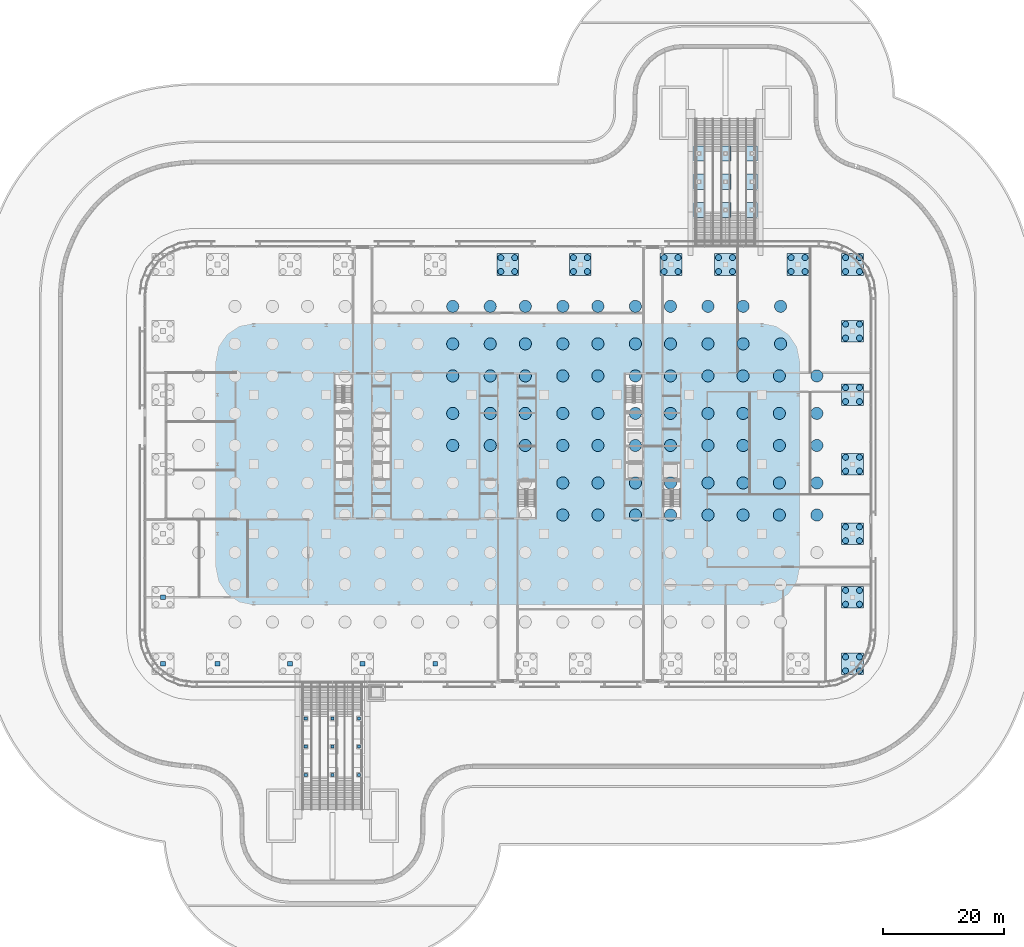
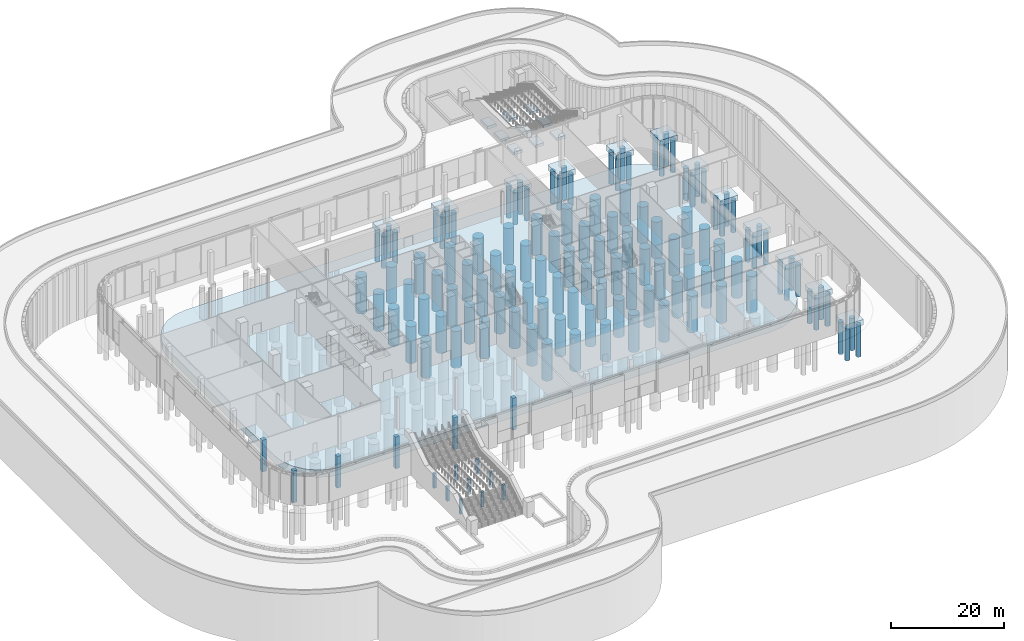
# One storey, part 2 of 48: 117 piles, 22 footings, 15 columns.
"""IFC4 building model written with IfcOpenShell, lengths in metres."""

from ifc_helpers import new_model, si_unit, direction, frame, origin, origin_2d, place, context, subcontext, project, spatial, polyline, rectangle, circle, outline, extrude, material, layer, layer_set, material_profile, profile_set, type_object, element, save


model = new_model("IFC4")

# Units and contexts
model_context = context("Model", 3, precision=1e-05, world=origin(), true_north=direction((0.0, 1.0)))
body_context = subcontext(model_context, "Body", "Model", "MODEL_VIEW")
ifc_project = project(units=[si_unit("LENGTHUNIT", "METRE"), si_unit("AREAUNIT", "SQUARE_METRE"), si_unit("VOLUMEUNIT", "CUBIC_METRE"), si_unit("PLANEANGLEUNIT", "RADIAN"), si_unit("MASSUNIT", "GRAM", prefix="KILO")], contexts=[model_context])

# Site, building, storey
site_placement = place(None, origin())
site = spatial("IfcSite", under=ifc_project, at=site_placement, CompositionType="ELEMENT")
building_placement = place(site_placement, origin())
building = spatial("IfcBuilding", under=site, at=building_placement, Name="Mahtab Terrace Research Tower", CompositionType="ELEMENT")
storey_placement = place(building_placement, origin())
storey = spatial("IfcBuildingStorey", under=building, at=storey_placement, Name="G", CompositionType="ELEMENT", Elevation=0.0)

# Piles
ifc_material_1 = material(Name="Concrete C40/50", Category="concrete")
ifc_material_profile_1 = material_profile(ifc_material_1, circle(Radius=0.5, at=origin_2d()), Name="Bored pile D1000")
ifc_profile_set_1 = profile_set([ifc_material_profile_1], Name="Concrete C40/50")
pile_type_1 = type_object("IfcPileType", Name="Bored pile D1000", PredefinedType="BORED", material=ifc_profile_set_1)
for number, where, z_axis, x_axis, name in (
    (1, (55.85009765625, -34.14990234375, -1.25), (0.0, 0.0, -1.0), (1.0, 0.0, 0.0), "Bored pile PC-11-1"),
    (2, (55.85009765625, -31.85009765625, -1.25), (0.0, 0.0, -1.0), (1.0, 0.0, 0.0), "Bored pile PC-11-2"),
    (3, (58.14990234375, -34.14990234375, -1.25), (0.0, 0.0, -1.0), (1.0, 0.0, 0.0), "Bored pile PC-11-3"),
    (4, (58.14990234375, -31.85009765625, -1.25), (0.0, 0.0, -1.0), (1.0, 0.0, 0.0), "Bored pile PC-11-4"),
    (5, (-1.14990234375, 31.85009765625, -1.25), (0.0, 0.0, -1.0), (1.0, 0.0, 0.0), "Bored pile PC-17-1"),
    (6, (-1.14990234375, 34.14990234375, -1.25), (0.0, 0.0, -1.0), (1.0, 0.0, 0.0), "Bored pile PC-17-2"),
    (7, (1.14990234375, 31.85009765625, -1.25), (0.0, 0.0, -1.0), (1.0, 0.0, 0.0), "Bored pile PC-17-3"),
    (8, (1.14990234375, 34.14990234375, -1.25), (0.0, 0.0, -1.0), (1.0, 0.0, 0.0), "Bored pile PC-17-4"),
    (9, (10.85009765625, 31.85009765625, -1.25), (0.0, 0.0, -1.0), (1.0, 0.0, 0.0), "Bored pile PC-18-1"),
    (10, (10.85009765625, 34.14990234375, -1.25), (0.0, 0.0, -1.0), (1.0, 0.0, 0.0), "Bored pile PC-18-2"),
    (11, (13.14990234375, 31.85009765625, -1.25), (0.0, 0.0, -1.0), (1.0, 0.0, 0.0), "Bored pile PC-18-3"),
    (12, (13.14990234375, 34.14990234375, -1.25), (0.0, 0.0, -1.0), (1.0, 0.0, 0.0), "Bored pile PC-18-4"),
    (13, (25.85009765625, 31.85009765625, -1.25), (0.0, 0.0, -1.0), (1.0, 0.0, 0.0), "Bored pile PC-19-1"),
    (14, (25.85009765625, 34.14990234375, -1.25), (0.0, 0.0, -1.0), (1.0, 0.0, 0.0), "Bored pile PC-19-2"),
    (15, (28.14990234375, 31.85009765625, -1.25), (0.0, 0.0, -1.0), (1.0, 0.0, 0.0), "Bored pile PC-19-3"),
    (16, (28.14990234375, 34.14990234375, -1.25), (0.0, 0.0, -1.0), (1.0, 0.0, 0.0), "Bored pile PC-19-4"),
    (17, (34.85009765625, 31.85009765625, -1.25), (0.0, 0.0, -1.0), (1.0, 0.0, 0.0), "Bored pile PC-20-1"),
    (18, (34.85009765625, 34.14990234375, -1.25), (0.0, 0.0, -1.0), (1.0, 0.0, 0.0), "Bored pile PC-20-2"),
    (19, (37.14990234375, 31.85009765625, -1.25), (0.0, 0.0, -1.0), (1.0, 0.0, 0.0), "Bored pile PC-20-3"),
    (20, (37.14990234375, 34.14990234375, -1.25), (0.0, 0.0, -1.0), (1.0, 0.0, 0.0), "Bored pile PC-20-4"),
    (21, (46.85009765625, 31.85009765625, -1.25), (0.0, 0.0, -1.0), (1.0, 0.0, 0.0), "Bored pile PC-21-1"),
    (22, (46.85009765625, 34.14990234375, -1.25), (0.0, 0.0, -1.0), (1.0, 0.0, 0.0), "Bored pile PC-21-2"),
    (23, (49.14990234375, 31.85009765625, -1.25), (0.0, 0.0, -1.0), (1.0, 0.0, 0.0), "Bored pile PC-21-3"),
    (24, (49.14990234375, 34.14990234375, -1.25), (0.0, 0.0, -1.0), (1.0, 0.0, 0.0), "Bored pile PC-21-4"),
    (25, (55.85009765625, 31.85009765625, -1.25), (0.0, 0.0, -1.0), (1.0, 0.0, 0.0), "Bored pile PC-22-1"),
    (26, (55.85009765625, 34.14990234375, -1.25), (0.0, 0.0, -1.0), (1.0, 0.0, 0.0), "Bored pile PC-22-2"),
    (27, (58.14990234375, 31.85009765625, -1.25), (0.0, 0.0, -1.0), (1.0, 0.0, 0.0), "Bored pile PC-22-3"),
    (28, (58.14990234375, 34.14990234375, -1.25), (0.0, 0.0, -1.0), (1.0, 0.0, 0.0), "Bored pile PC-22-4"),
    (29, (55.85009765625, -23.14990234375, -1.25), (0.0, 0.0, -1.0), (1.0, 0.0, 0.0), "Bored pile PC-28-1"),
    (30, (55.85009765625, -20.85009765625, -1.25), (0.0, 0.0, -1.0), (1.0, 0.0, 0.0), "Bored pile PC-28-2"),
    (31, (58.14990234375, -23.14990234375, -1.25), (0.0, 0.0, -1.0), (1.0, 0.0, 0.0), "Bored pile PC-28-3"),
    (32, (58.14990234375, -20.85009765625, -1.25), (0.0, 0.0, -1.0), (1.0, 0.0, 0.0), "Bored pile PC-28-4"),
    (33, (55.85009765625, -12.64990234375, -1.25), (0.0, 0.0, -1.0), (1.0, 0.0, 0.0), "Bored pile PC-29-1"),
    (34, (55.85009765625, -10.35009765625, -1.25), (0.0, 0.0, -1.0), (1.0, 0.0, 0.0), "Bored pile PC-29-2"),
    (35, (58.14990234375, -12.64990234375, -1.25), (0.0, 0.0, -1.0), (1.0, 0.0, 0.0), "Bored pile PC-29-3"),
    (36, (58.14990234375, -10.35009765625, -1.25), (0.0, 0.0, -1.0), (1.0, 0.0, 0.0), "Bored pile PC-29-4"),
    (37, (55.85009765625, -1.14990234375, -1.25), (0.0, 0.0, -1.0), (1.0, 0.0, 0.0), "Bored pile PC-30-1"),
    (38, (55.85009765625, 1.14990234375, -1.25), (0.0, 0.0, -1.0), (1.0, 0.0, 0.0), "Bored pile PC-30-2"),
    (39, (58.14990234375, -1.14990234375, -1.25), (0.0, 0.0, -1.0), (1.0, 0.0, 0.0), "Bored pile PC-30-3"),
    (40, (58.14990234375, 1.14990234375, -1.25), (0.0, 0.0, -1.0), (1.0, 0.0, 0.0), "Bored pile PC-30-4"),
    (41, (55.85009765625, 10.35009765625, -1.25), (0.0, 0.0, -1.0), (1.0, 0.0, 0.0), "Bored pile PC-31-1"),
    (42, (55.85009765625, 12.64990234375, -1.25), (0.0, 0.0, -1.0), (1.0, 0.0, 0.0), "Bored pile PC-31-2"),
    (43, (58.14990234375, 10.35009765625, -1.25), (0.0, 0.0, -1.0), (1.0, 0.0, 0.0), "Bored pile PC-31-3"),
    (44, (58.14990234375, 12.64990234375, -1.25), (0.0, 0.0, -1.0), (1.0, 0.0, 0.0), "Bored pile PC-31-4"),
    (45, (55.85009765625, 20.85009765625, -1.25), (0.0, 0.0, -1.0), (1.0, 0.0, 0.0), "Bored pile PC-32-1"),
    (46, (55.85009765625, 23.14990234375, -1.25), (0.0, 0.0, -1.0), (1.0, 0.0, 0.0), "Bored pile PC-32-2"),
    (47, (58.14990234375, 20.85009765625, -1.25), (0.0, 0.0, -1.0), (1.0, 0.0, 0.0), "Bored pile PC-32-3"),
    (48, (58.14990234375, 23.14990234375, -1.25), (0.0, 0.0, -1.0), (1.0, 0.0, 0.0), "Bored pile PC-32-4"),
):
    element("IfcPile", number, at=place(storey_placement, frame(where, z_axis=z_axis, x_axis=x_axis)), inside=storey, type_object=pile_type_1, Name=name, PredefinedType="BORED", context=body_context, shape_type="SweptSolid", body=[
        extrude(circle(Radius=0.5, at=origin_2d()), origin(), (0.0, 0.0, 1.0), 7.0),
    ])
ifc_material_profile_2 = material_profile(ifc_material_1, circle(Radius=1.0, at=origin_2d()), Name="Bored pile D2000")
ifc_profile_set_2 = profile_set([ifc_material_profile_2], Name="Concrete C40/50")
pile_type_2 = type_object("IfcPileType", Name="Bored pile D2000", PredefinedType="BORED", material=ifc_profile_set_2)
for number, where, z_axis, x_axis, name in (
    (49, (-9.10009765625, 3.10009765625, -3.550048828125), (0.0, 0.0, -1.0), (1.0, 0.0, 0.0), "Bored pile 072"),
    (50, (-9.10009765625, 8.39990234375, -3.550048828125), (0.0, 0.0, -1.0), (1.0, 0.0, 0.0), "Bored pile 073"),
    (51, (-9.10009765625, 14.60009765625, -3.550048828125), (0.0, 0.0, -1.0), (1.0, 0.0, 0.0), "Bored pile 074"),
    (52, (-9.10009765625, 19.89990234375, -3.550048828125), (0.0, 0.0, -1.0), (1.0, 0.0, 0.0), "Bored pile 075"),
    (53, (-9.10009765625, 26.10009765625, -3.550048828125), (0.0, 0.0, -1.0), (1.0, 0.0, 0.0), "Bored pile 076"),
    (54, (-2.89990234375, 3.10009765625, -3.550048828125), (0.0, 0.0, -1.0), (1.0, 0.0, 0.0), "Bored pile 082"),
    (55, (-2.89990234375, 8.39990234375, -3.550048828125), (0.0, 0.0, -1.0), (1.0, 0.0, 0.0), "Bored pile 083"),
    (56, (-2.89990234375, 14.60009765625, -3.550048828125), (0.0, 0.0, -1.0), (1.0, 0.0, 0.0), "Bored pile 084"),
    (57, (-2.89990234375, 19.89990234375, -3.550048828125), (0.0, 0.0, -1.0), (1.0, 0.0, 0.0), "Bored pile 085"),
    (58, (-2.89990234375, 26.10009765625, -3.550048828125), (0.0, 0.0, -1.0), (1.0, 0.0, 0.0), "Bored pile 086"),
    (59, (2.89990234375, 3.10009765625, -3.550048828125), (0.0, 0.0, -1.0), (1.0, 0.0, 0.0), "Bored pile 092"),
    (60, (2.89990234375, 8.39990234375, -3.550048828125), (0.0, 0.0, -1.0), (1.0, 0.0, 0.0), "Bored pile 093"),
    (61, (2.89990234375, 14.60009765625, -3.550048828125), (0.0, 0.0, -1.0), (1.0, 0.0, 0.0), "Bored pile 094"),
    (62, (2.89990234375, 19.89990234375, -3.550048828125), (0.0, 0.0, -1.0), (1.0, 0.0, 0.0), "Bored pile 095"),
    (63, (2.89990234375, 26.10009765625, -3.550048828125), (0.0, 0.0, -1.0), (1.0, 0.0, 0.0), "Bored pile 096"),
    (64, (9.10009765625, -8.39990234375, -3.550048828125), (0.0, 0.0, -1.0), (1.0, 0.0, 0.0), "Bored pile 100"),
    (65, (9.10009765625, -3.10009765625, -3.550048828125), (0.0, 0.0, -1.0), (1.0, 0.0, 0.0), "Bored pile 101"),
    (66, (9.10009765625, 3.10009765625, -3.550048828125), (0.0, 0.0, -1.0), (1.0, 0.0, 0.0), "Bored pile 102"),
    (67, (9.10009765625, 8.39990234375, -3.550048828125), (0.0, 0.0, -1.0), (1.0, 0.0, 0.0), "Bored pile 103"),
    (68, (9.10009765625, 14.60009765625, -3.550048828125), (0.0, 0.0, -1.0), (1.0, 0.0, 0.0), "Bored pile 104"),
    (69, (9.10009765625, 19.89990234375, -3.550048828125), (0.0, 0.0, -1.0), (1.0, 0.0, 0.0), "Bored pile 105"),
    (70, (9.10009765625, 26.10009765625, -3.550048828125), (0.0, 0.0, -1.0), (1.0, 0.0, 0.0), "Bored pile 106"),
    (71, (14.89990234375, -8.39990234375, -3.550048828125), (0.0, 0.0, -1.0), (1.0, 0.0, 0.0), "Bored pile 110"),
    (72, (14.89990234375, -3.10009765625, -3.550048828125), (0.0, 0.0, -1.0), (1.0, 0.0, 0.0), "Bored pile 111"),
    (73, (14.89990234375, 3.10009765625, -3.550048828125), (0.0, 0.0, -1.0), (1.0, 0.0, 0.0), "Bored pile 112"),
    (74, (14.89990234375, 8.39990234375, -3.550048828125), (0.0, 0.0, -1.0), (1.0, 0.0, 0.0), "Bored pile 113"),
    (75, (14.89990234375, 14.60009765625, -3.550048828125), (0.0, 0.0, -1.0), (1.0, 0.0, 0.0), "Bored pile 114"),
    (76, (14.89990234375, 19.89990234375, -3.550048828125), (0.0, 0.0, -1.0), (1.0, 0.0, 0.0), "Bored pile 115"),
    (77, (14.89990234375, 26.10009765625, -3.550048828125), (0.0, 0.0, -1.0), (1.0, 0.0, 0.0), "Bored pile 116"),
    (78, (21.10009765625, -8.39990234375, -3.550048828125), (0.0, 0.0, -1.0), (1.0, 0.0, 0.0), "Bored pile 120"),
    (79, (21.10009765625, -3.10009765625, -3.550048828125), (0.0, 0.0, -1.0), (1.0, 0.0, 0.0), "Bored pile 121"),
    (80, (21.10009765625, 3.10009765625, -3.550048828125), (0.0, 0.0, -1.0), (1.0, 0.0, 0.0), "Bored pile 122"),
    (81, (21.10009765625, 8.39990234375, -3.550048828125), (0.0, 0.0, -1.0), (1.0, 0.0, 0.0), "Bored pile 123"),
    (82, (21.10009765625, 14.60009765625, -3.550048828125), (0.0, 0.0, -1.0), (1.0, 0.0, 0.0), "Bored pile 124"),
    (83, (21.10009765625, 19.89990234375, -3.550048828125), (0.0, 0.0, -1.0), (1.0, 0.0, 0.0), "Bored pile 125"),
    (84, (21.10009765625, 26.10009765625, -3.550048828125), (0.0, 0.0, -1.0), (1.0, 0.0, 0.0), "Bored pile 126"),
    (85, (26.89990234375, -8.39990234375, -3.550048828125), (0.0, 0.0, -1.0), (1.0, 0.0, 0.0), "Bored pile 130"),
    (86, (26.89990234375, -3.10009765625, -3.550048828125), (0.0, 0.0, -1.0), (1.0, 0.0, 0.0), "Bored pile 131"),
    (87, (26.89990234375, 3.10009765625, -3.550048828125), (0.0, 0.0, -1.0), (1.0, 0.0, 0.0), "Bored pile 132"),
    (88, (26.89990234375, 8.39990234375, -3.550048828125), (0.0, 0.0, -1.0), (1.0, 0.0, 0.0), "Bored pile 133"),
    (89, (26.89990234375, 14.60009765625, -3.550048828125), (0.0, 0.0, -1.0), (1.0, 0.0, 0.0), "Bored pile 134"),
    (90, (26.89990234375, 19.89990234375, -3.550048828125), (0.0, 0.0, -1.0), (1.0, 0.0, 0.0), "Bored pile 135"),
    (91, (26.89990234375, 26.10009765625, -3.550048828125), (0.0, 0.0, -1.0), (1.0, 0.0, 0.0), "Bored pile 136"),
    (92, (33.10009765625, -8.39990234375, -3.550048828125), (0.0, 0.0, -1.0), (1.0, 0.0, 0.0), "Bored pile 140"),
    (93, (33.10009765625, -3.10009765625, -3.550048828125), (0.0, 0.0, -1.0), (1.0, 0.0, 0.0), "Bored pile 141"),
    (94, (33.10009765625, 3.10009765625, -3.550048828125), (0.0, 0.0, -1.0), (1.0, 0.0, 0.0), "Bored pile 142"),
    (95, (33.10009765625, 8.39990234375, -3.550048828125), (0.0, 0.0, -1.0), (1.0, 0.0, 0.0), "Bored pile 143"),
    (96, (33.10009765625, 14.60009765625, -3.550048828125), (0.0, 0.0, -1.0), (1.0, 0.0, 0.0), "Bored pile 144"),
    (97, (33.10009765625, 19.89990234375, -3.550048828125), (0.0, 0.0, -1.0), (1.0, 0.0, 0.0), "Bored pile 145"),
    (98, (33.10009765625, 26.10009765625, -3.550048828125), (0.0, 0.0, -1.0), (1.0, 0.0, 0.0), "Bored pile 146"),
    (99, (38.89990234375, -8.39990234375, -3.550048828125), (0.0, 0.0, -1.0), (1.0, 0.0, 0.0), "Bored pile 150"),
    (100, (38.89990234375, -3.10009765625, -3.550048828125), (0.0, 0.0, -1.0), (1.0, 0.0, 0.0), "Bored pile 151"),
    (101, (38.89990234375, 3.10009765625, -3.550048828125), (0.0, 0.0, -1.0), (1.0, 0.0, 0.0), "Bored pile 152"),
    (102, (38.89990234375, 8.39990234375, -3.550048828125), (0.0, 0.0, -1.0), (1.0, 0.0, 0.0), "Bored pile 153"),
    (103, (38.89990234375, 14.60009765625, -3.550048828125), (0.0, 0.0, -1.0), (1.0, 0.0, 0.0), "Bored pile 154"),
    (104, (38.89990234375, 19.89990234375, -3.550048828125), (0.0, 0.0, -1.0), (1.0, 0.0, 0.0), "Bored pile 155"),
    (105, (38.89990234375, 26.10009765625, -3.550048828125), (0.0, 0.0, -1.0), (1.0, 0.0, 0.0), "Bored pile 156"),
    (106, (44.89990234375, -8.39990234375, -3.550048828125), (0.0, 0.0, -1.0), (1.0, 0.0, 0.0), "Bored pile 158"),
    (107, (44.89990234375, -3.10009765625, -3.550048828125), (0.0, 0.0, -1.0), (1.0, 0.0, 0.0), "Bored pile 159"),
    (108, (44.89990234375, 3.10009765625, -3.550048828125), (0.0, 0.0, -1.0), (1.0, 0.0, 0.0), "Bored pile 160"),
    (109, (44.89990234375, 8.39990234375, -3.550048828125), (0.0, 0.0, -1.0), (1.0, 0.0, 0.0), "Bored pile 161"),
    (110, (44.89990234375, 14.60009765625, -3.550048828125), (0.0, 0.0, -1.0), (1.0, 0.0, 0.0), "Bored pile 162"),
    (111, (45.10009765625, 19.89990234375, -3.550048828125), (0.0, 0.0, -1.0), (1.0, 0.0, 0.0), "Bored pile 165"),
    (112, (45.10009765625, 26.10009765625, -3.550048828125), (0.0, 0.0, -1.0), (1.0, 0.0, 0.0), "Bored pile 166"),
    (113, (51.10009765625, -8.39990234375, -3.550048828125), (0.0, 0.0, -1.0), (1.0, 0.0, 0.0), "Bored pile 168"),
    (114, (51.10009765625, -3.10009765625, -3.550048828125), (0.0, 0.0, -1.0), (1.0, 0.0, 0.0), "Bored pile 169"),
    (115, (51.10009765625, 3.10009765625, -3.550048828125), (0.0, 0.0, -1.0), (1.0, 0.0, 0.0), "Bored pile 170"),
    (116, (51.10009765625, 8.39990234375, -3.550048828125), (0.0, 0.0, -1.0), (1.0, 0.0, 0.0), "Bored pile 171"),
    (117, (51.10009765625, 14.60009765625, -3.550048828125), (0.0, 0.0, -1.0), (1.0, 0.0, 0.0), "Bored pile 172"),
):
    element("IfcPile", number, at=place(storey_placement, frame(where, z_axis=z_axis, x_axis=x_axis)), inside=storey, type_object=pile_type_2, Name=name, PredefinedType="BORED", context=body_context, shape_type="SweptSolid", body=[
        extrude(circle(Radius=1.0, at=origin_2d()), origin(), (0.0, 0.0, 1.0), 8.0),
    ])

# Footings
ifc_layer_1 = layer(ifc_material_1, 0.60009765625)
ifc_layer_set_1 = layer_set([ifc_layer_1], Name="Pad footing 1800x2500x600")
footing_type_1 = type_object("IfcFootingType", Name="Pad footing 1800x2500x600", PredefinedType="PAD_FOOTING", material=ifc_layer_set_1)
footing_1_placement = place(storey_placement, frame((0.0, 0.0, -0.60009765625)))
element("IfcFooting", 118, at=footing_1_placement, inside=storey, type_object=footing_type_1, Name="Stair pad footing PS2-1-1", PredefinedType="PAD_FOOTING", context=body_context, shape_type="SweptSolid", body=[
    extrude(outline(polyline([(30.699951171875, 50.10009765625), (32.5, 50.10009765625), (32.5, 52.60009765625), (30.699951171875, 52.60009765625), (30.699951171875, 50.10009765625)])), origin(), (0.0, 0.0, 1.0), 0.60009765625),
])
footing_2_placement = place(storey_placement, frame((0.0, 0.0, -0.60009765625)))
element("IfcFooting", 119, at=footing_2_placement, inside=storey, type_object=footing_type_1, Name="Stair pad footing PS2-1-2", PredefinedType="PAD_FOOTING", context=body_context, shape_type="SweptSolid", body=[
    extrude(outline(polyline([(30.699951171875, 45.449951171875), (32.5, 45.449951171875), (32.5, 47.949951171875), (30.699951171875, 47.949951171875), (30.699951171875, 45.449951171875)])), origin(), (0.0, 0.0, 1.0), 0.60009765625),
])
footing_3_placement = place(storey_placement, frame((0.0, 0.0, -0.60009765625)))
element("IfcFooting", 120, at=footing_3_placement, inside=storey, type_object=footing_type_1, Name="Stair pad footing PS2-1-3", PredefinedType="PAD_FOOTING", context=body_context, shape_type="SweptSolid", body=[
    extrude(outline(polyline([(30.699951171875, 40.800048828125), (32.5, 40.800048828125), (32.5, 43.300048828125), (30.699951171875, 43.300048828125), (30.699951171875, 40.800048828125)])), origin(), (0.0, 0.0, 1.0), 0.60009765625),
])
footing_4_placement = place(storey_placement, frame((0.0, 0.0, -0.60009765625)))
element("IfcFooting", 121, at=footing_4_placement, inside=storey, type_object=footing_type_1, Name="Stair pad footing PS2-2-1", PredefinedType="PAD_FOOTING", context=body_context, shape_type="SweptSolid", body=[
    extrude(outline(polyline([(35.10009765625, 50.10009765625), (36.89990234375, 50.10009765625), (36.89990234375, 52.60009765625), (35.10009765625, 52.60009765625), (35.10009765625, 50.10009765625)])), origin(), (0.0, 0.0, 1.0), 0.60009765625),
])
footing_5_placement = place(storey_placement, frame((0.0, 0.0, -0.60009765625)))
element("IfcFooting", 122, at=footing_5_placement, inside=storey, type_object=footing_type_1, Name="Stair pad footing PS2-2-2", PredefinedType="PAD_FOOTING", context=body_context, shape_type="SweptSolid", body=[
    extrude(outline(polyline([(35.10009765625, 45.449951171875), (36.89990234375, 45.449951171875), (36.89990234375, 47.949951171875), (35.10009765625, 47.949951171875), (35.10009765625, 45.449951171875)])), origin(), (0.0, 0.0, 1.0), 0.60009765625),
])
footing_6_placement = place(storey_placement, frame((0.0, 0.0, -0.60009765625)))
element("IfcFooting", 123, at=footing_6_placement, inside=storey, type_object=footing_type_1, Name="Stair pad footing PS2-2-3", PredefinedType="PAD_FOOTING", context=body_context, shape_type="SweptSolid", body=[
    extrude(outline(polyline([(35.10009765625, 40.800048828125), (36.89990234375, 40.800048828125), (36.89990234375, 43.300048828125), (35.10009765625, 43.300048828125), (35.10009765625, 40.800048828125)])), origin(), (0.0, 0.0, 1.0), 0.60009765625),
])
footing_7_placement = place(storey_placement, frame((0.0, 0.0, -0.60009765625)))
element("IfcFooting", 124, at=footing_7_placement, inside=storey, type_object=footing_type_1, Name="Stair pad footing PS2-3-1", PredefinedType="PAD_FOOTING", context=body_context, shape_type="SweptSolid", body=[
    extrude(outline(polyline([(39.5, 50.10009765625), (41.300048828125, 50.10009765625), (41.300048828125, 52.60009765625), (39.5, 52.60009765625), (39.5, 50.10009765625)])), origin(), (0.0, 0.0, 1.0), 0.60009765625),
])
footing_8_placement = place(storey_placement, frame((0.0, 0.0, -0.60009765625)))
element("IfcFooting", 125, at=footing_8_placement, inside=storey, type_object=footing_type_1, Name="Stair pad footing PS2-3-2", PredefinedType="PAD_FOOTING", context=body_context, shape_type="SweptSolid", body=[
    extrude(outline(polyline([(39.5, 45.449951171875), (41.300048828125, 45.449951171875), (41.300048828125, 47.949951171875), (39.5, 47.949951171875), (39.5, 45.449951171875)])), origin(), (0.0, 0.0, 1.0), 0.60009765625),
])
footing_9_placement = place(storey_placement, frame((0.0, 0.0, -0.60009765625)))
element("IfcFooting", 126, at=footing_9_placement, inside=storey, type_object=footing_type_1, Name="Stair pad footing PS2-3-3", PredefinedType="PAD_FOOTING", context=body_context, shape_type="SweptSolid", body=[
    extrude(outline(polyline([(39.5, 40.800048828125), (41.300048828125, 40.800048828125), (41.300048828125, 43.300048828125), (39.5, 43.300048828125), (39.5, 40.800048828125)])), origin(), (0.0, 0.0, 1.0), 0.60009765625),
])
ifc_layer_2 = layer(ifc_material_1, 1.199951171875)
ifc_layer_set_2 = layer_set([ifc_layer_2], Name="Pile cap 3600x3600x1200")
footing_type_2 = type_object("IfcFootingType", Name="Pile cap 3600x3600x1200", PredefinedType="PILE_CAP", material=ifc_layer_set_2)
for number, where, z_axis, x_axis, name in (
    (127, (57.0, -33.0, -1.39990234375), (0.0, 0.0, 1.0), (1.0, 0.0, 0.0), "Pile cap PC-11"),
    (128, (0.0, 33.0, -1.39990234375), (0.0, 0.0, 1.0), (1.0, 0.0, 0.0), "Pile cap PC-17"),
    (129, (12.0, 33.0, -1.39990234375), (0.0, 0.0, 1.0), (1.0, 0.0, 0.0), "Pile cap PC-18"),
    (130, (27.0, 33.0, -1.39990234375), (0.0, 0.0, 1.0), (1.0, 0.0, 0.0), "Pile cap PC-19"),
    (131, (36.0, 33.0, -1.39990234375), (0.0, 0.0, 1.0), (1.0, 0.0, 0.0), "Pile cap PC-20"),
    (132, (48.0, 33.0, -1.39990234375), (0.0, 0.0, 1.0), (1.0, 0.0, 0.0), "Pile cap PC-21"),
    (133, (57.0, 33.0, -1.39990234375), (0.0, 0.0, 1.0), (1.0, 0.0, 0.0), "Pile cap PC-22"),
    (134, (57.0, -22.0, -1.39990234375), (0.0, 0.0, 1.0), (1.0, 0.0, 0.0), "Pile cap PC-28"),
    (135, (57.0, -11.5, -1.39990234375), (0.0, 0.0, 1.0), (1.0, 0.0, 0.0), "Pile cap PC-29"),
    (136, (57.0, 0.0, -1.39990234375), (0.0, 0.0, 1.0), (1.0, 0.0, 0.0), "Pile cap PC-30"),
    (137, (57.0, 11.5, -1.39990234375), (0.0, 0.0, 1.0), (1.0, 0.0, 0.0), "Pile cap PC-31"),
    (138, (57.0, 22.0, -1.39990234375), (0.0, 0.0, 1.0), (1.0, 0.0, 0.0), "Pile cap PC-32"),
):
    element("IfcFooting", number, at=place(storey_placement, frame(where, z_axis=z_axis, x_axis=x_axis)), inside=storey, type_object=footing_type_2, Name=name, PredefinedType="PILE_CAP", context=body_context, shape_type="SweptSolid", body=[
        extrude(rectangle(XDim=3.60009765625, YDim=3.60009765625, at=origin_2d()), origin(), (0.0, 0.0, 1.0), 1.199951171875),
    ])
ifc_layer_3 = layer(ifc_material_1, 3.5)
ifc_layer_set_3 = layer_set([ifc_layer_3], Name="Raft 3500")
footing_type_3 = type_object("IfcFootingType", Name="Raft 3500", PredefinedType="USERDEFINED", material=ifc_layer_set_3)
footing_10_placement = place(storey_placement, frame((0.0, 0.0, -1.800048828125)))
element("IfcFooting", 139, at=footing_10_placement, inside=storey, type_object=footing_type_3, Name="Raft upper layer with lift pits", ObjectType="Raft foundation", PredefinedType="USERDEFINED", context=body_context, shape_type="SweptSolid", body=[
    extrude(outline(polyline([(52.693115234375, 21.3291015625), (51.7939453125, 23.5), (50.364013671875, 25.364013671875), (48.5, 26.7939453125), (46.3291015625, 27.693115234375), (44.0, 28.0), (-44.0, 28.0), (-46.3291015625, 27.693115234375), (-48.5, 26.7939453125), (-50.364013671875, 25.364013671875), (-51.7939453125, 23.5), (-52.693115234375, 21.3291015625), (-53.0, 19.0), (-53.0, -19.0), (-52.693115234375, -21.3291015625), (-51.7939453125, -23.5), (-50.364013671875, -25.364013671875), (-48.5, -26.7939453125), (-46.3291015625, -27.693115234375), (-44.0, -28.0), (44.0, -28.0), (46.3291015625, -27.693115234375), (48.5, -26.7939453125), (50.364013671875, -25.364013671875), (51.7939453125, -23.5), (52.693115234375, -21.3291015625), (53.0, -19.0), (53.0, 19.0), (52.693115234375, 21.3291015625)]), holes=[polyline([(-28.550048828125, -2.375), (-25.699951171875, -2.375), (-25.699951171875, 0.125), (-28.550048828125, 0.125), (-28.550048828125, -2.375)]), polyline([(-28.550048828125, 0.375), (-25.699951171875, 0.375), (-25.699951171875, 2.875), (-28.550048828125, 2.875), (-28.550048828125, 0.375)]), polyline([(-28.550048828125, 3.125), (-25.699951171875, 3.125), (-25.699951171875, 5.625), (-28.550048828125, 5.625), (-28.550048828125, 3.125)]), polyline([(-28.550048828125, 5.875), (-25.699951171875, 5.875), (-25.699951171875, 8.375), (-28.550048828125, 8.375), (-28.550048828125, 5.875)]), polyline([(-22.300048828125, -2.375), (-19.449951171875, -2.375), (-19.449951171875, 0.125), (-22.300048828125, 0.125), (-22.300048828125, -2.375)]), polyline([(-22.300048828125, 0.375), (-19.449951171875, 0.375), (-19.449951171875, 2.875), (-22.300048828125, 2.875), (-22.300048828125, 0.375)]), polyline([(-22.300048828125, 3.125), (-19.449951171875, 3.125), (-19.449951171875, 5.625), (-22.300048828125, 5.625), (-22.300048828125, 3.125)]), polyline([(-22.300048828125, 5.875), (-19.449951171875, 5.875), (-19.449951171875, 8.375), (-22.300048828125, 8.375), (-22.300048828125, 5.875)]), polyline([(19.449951171875, -2.375), (22.300048828125, -2.375), (22.300048828125, 0.125), (19.449951171875, 0.125), (19.449951171875, -2.375)]), polyline([(19.449951171875, 0.375), (22.300048828125, 0.375), (22.300048828125, 2.875), (19.449951171875, 2.875), (19.449951171875, 0.375)]), polyline([(19.449951171875, 3.125), (22.300048828125, 3.125), (22.300048828125, 5.625), (19.449951171875, 5.625), (19.449951171875, 3.125)]), polyline([(19.449951171875, 5.875), (22.300048828125, 5.875), (22.300048828125, 8.375), (19.449951171875, 8.375), (19.449951171875, 5.875)]), polyline([(25.699951171875, -2.375), (28.550048828125, -2.375), (28.550048828125, 0.125), (25.699951171875, 0.125), (25.699951171875, -2.375)])]), origin(), (0.0, 0.0, 1.0), 1.60009765625),
])

# Columns
ifc_material_2 = material(Name="Concrete C70/85", Category="concrete")
ifc_material_profile_3 = material_profile(ifc_material_2, rectangle(XDim=0.5, YDim=0.5, at=origin_2d()), Name="RC column 500x500")
ifc_profile_set_3 = profile_set([ifc_material_profile_3], Name="Concrete C70/85")
column_type_1 = type_object("IfcColumnType", Name="RC column 500x500", PredefinedType="COLUMN", material=ifc_profile_set_3)
for number, where, z_axis, x_axis, name in (
    (140, (-33.39990234375, -51.35009765625, 0.0), (0.0, 0.0, 1.0), (1.0, 0.0, 0.0), "Stair landing column PS1-1-1"),
    (141, (-33.39990234375, -46.699951171875, 0.0), (0.0, 0.0, 1.0), (1.0, 0.0, 0.0), "Stair landing column PS1-1-2"),
    (142, (-33.39990234375, -42.050048828125, 0.0), (0.0, 0.0, 1.0), (1.0, 0.0, 0.0), "Stair landing column PS1-1-3"),
    (143, (-29.0, -51.35009765625, 0.0), (0.0, 0.0, 1.0), (1.0, 0.0, 0.0), "Stair landing column PS1-2-1"),
    (144, (-29.0, -46.699951171875, 0.0), (0.0, 0.0, 1.0), (1.0, 0.0, 0.0), "Stair landing column PS1-2-2"),
    (145, (-29.0, -42.050048828125, 0.0), (0.0, 0.0, 1.0), (1.0, 0.0, 0.0), "Stair landing column PS1-2-3"),
    (146, (-24.60009765625, -51.35009765625, 0.0), (0.0, 0.0, 1.0), (1.0, 0.0, 0.0), "Stair landing column PS1-3-1"),
    (147, (-24.60009765625, -46.699951171875, 0.0), (0.0, 0.0, 1.0), (1.0, 0.0, 0.0), "Stair landing column PS1-3-2"),
    (148, (-24.60009765625, -42.050048828125, 0.0), (0.0, 0.0, 1.0), (1.0, 0.0, 0.0), "Stair landing column PS1-3-3"),
):
    element("IfcColumn", number, at=place(storey_placement, frame(where, z_axis=z_axis, x_axis=x_axis)), inside=storey, type_object=column_type_1, Name=name, PredefinedType="COLUMN", context=body_context, shape_type="SweptSolid", body=[
        extrude(rectangle(XDim=0.5, YDim=0.5, at=origin_2d()), origin(), (0.0, 0.0, 1.0), 3.212158203125),
    ])
ifc_material_profile_4 = material_profile(ifc_material_2, rectangle(XDim=0.800048828125, YDim=0.800048828125, at=origin_2d()), Name="RC column 800 deck")
ifc_profile_set_4 = profile_set([ifc_material_profile_4], Name="Concrete C70/85")
column_type_2 = type_object("IfcColumnType", Name="RC column 800 deck", PredefinedType="COLUMN", material=ifc_profile_set_4)
for number, where, z_axis, x_axis, name in (
    (149, (-57.0, -33.0, -0.199951171875), (0.0, 0.0, 1.0), (1.0, 0.0, 0.0), "Deck column DC-01"),
    (150, (-48.0, -33.0, -0.199951171875), (0.0, 0.0, 1.0), (1.0, 0.0, 0.0), "Deck column DC-02"),
    (151, (-36.0, -33.0, -0.199951171875), (0.0, 0.0, 1.0), (1.0, 0.0, 0.0), "Deck column DC-03"),
    (152, (-24.0, -33.0, -0.199951171875), (0.0, 0.0, 1.0), (1.0, 0.0, 0.0), "Deck column DC-04"),
    (153, (-12.0, -33.0, -0.199951171875), (0.0, 0.0, 1.0), (1.0, 0.0, 0.0), "Deck column DC-05"),
    (154, (-57.0, -22.0, -0.199951171875), (0.0, 0.0, 1.0), (1.0, 0.0, 0.0), "Deck column DC-23"),
):
    element("IfcColumn", number, at=place(storey_placement, frame(where, z_axis=z_axis, x_axis=x_axis)), inside=storey, type_object=column_type_2, Name=name, PredefinedType="COLUMN", context=body_context, shape_type="SweptSolid", body=[
        extrude(rectangle(XDim=0.800048828125, YDim=0.800048828125, at=origin_2d()), origin(), (0.0, 0.0, 1.0), 6.89990234375),
    ])

save(model, "model.ifc")
